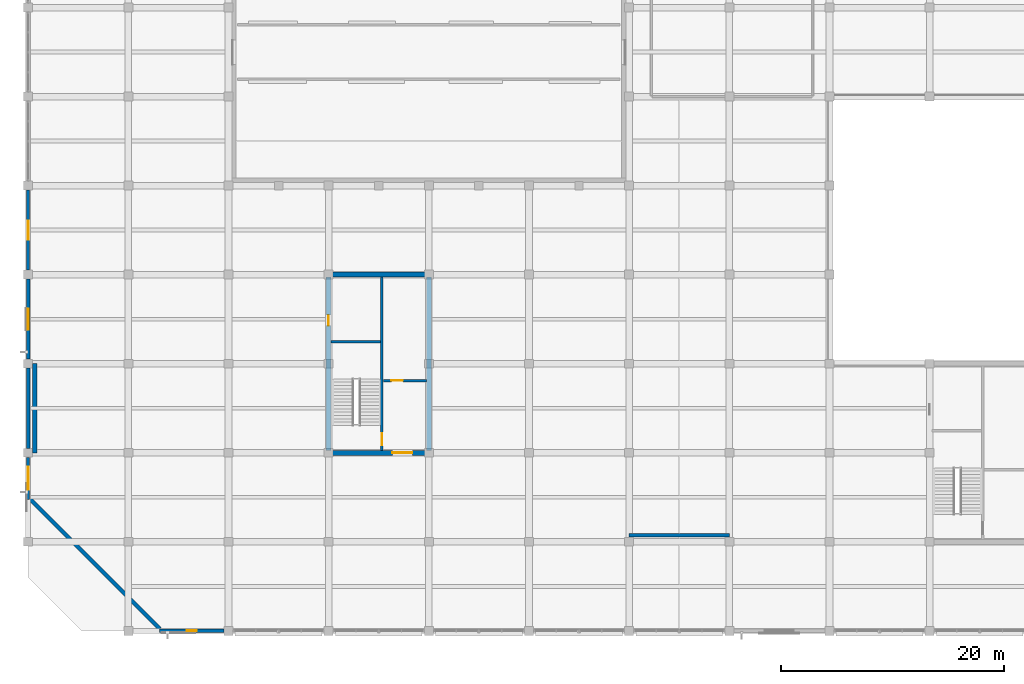
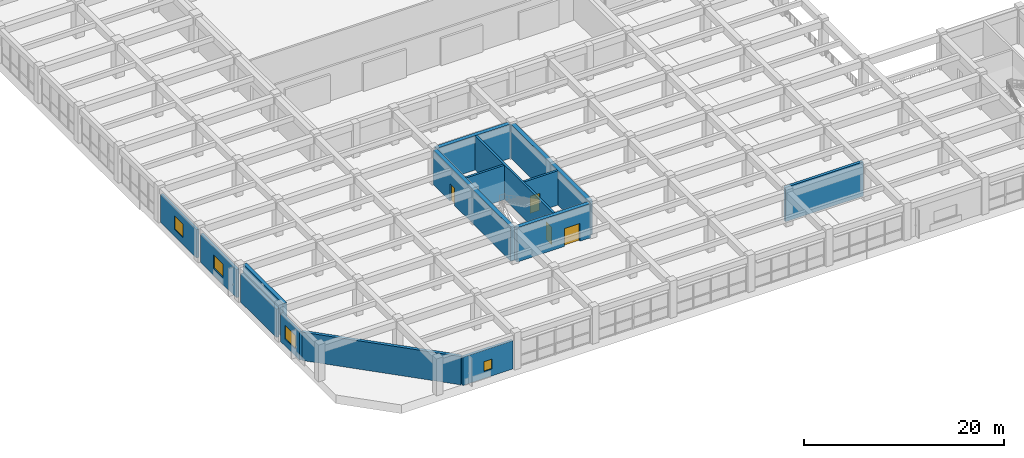
# One storey, part 25 of 50: 15 walls, 4 doors, 4 windows, 8 openings.
"""IFC4 building model written with IfcOpenShell, lengths in metres."""

from ifc_helpers import new_model, si_unit, direction, frame, frame_2d, origin, place, context, subcontext, project, spatial, rectangle, extrude, material, layer, layer_set, type_object, element, fill, save


model = new_model("IFC4")

# Units and contexts
model_context = context("Model", 3, precision=1e-05, world=origin(), true_north=direction((0.0, 1.0)))
body_context = subcontext(model_context, "Body", "Model", "MODEL_VIEW")
ifc_project = project(units=[si_unit("LENGTHUNIT", "METRE"), si_unit("AREAUNIT", "SQUARE_METRE"), si_unit("VOLUMEUNIT", "CUBIC_METRE"), si_unit("PLANEANGLEUNIT", "RADIAN"), si_unit("MASSUNIT", "GRAM", prefix="KILO")], contexts=[model_context])

# Site, building, storey
site_placement = place(None, origin())
site = spatial("IfcSite", under=ifc_project, at=site_placement, CompositionType="ELEMENT")
building_placement = place(site_placement, origin())
building = spatial("IfcBuilding", under=site, at=building_placement, Name="Zaverband Oceanarium and Marine Research Institute", CompositionType="ELEMENT")
storey_placement = place(building_placement, frame((0.0, 0.0, 4.5)))
storey = spatial("IfcBuildingStorey", under=building, at=storey_placement, Name="L01", CompositionType="ELEMENT", Elevation=4.5)

# Wall, opening, door
ifc_material_1 = material(Name="Concrete C50/60", Category="concrete")
ifc_layer_1 = layer(ifc_material_1, 0.449951171875, Name="Concrete C50/60")
ifc_layer_set_1 = layer_set([ifc_layer_1], Name="Concrete C50/60")
wall_type_1 = type_object("IfcWallType", Name="CW-02", PredefinedType="SHEAR", material=ifc_layer_set_1)
wall_1_placement = place(storey_placement, frame((27.22509765625, 16.0, 0.0), z_axis=(0.0, 0.0, 1.0), x_axis=(1.0, 0.0, 0.0)))
wall_1 = element("IfcWall", 1, at=wall_1_placement, inside=storey, type_object=wall_type_1, Name="Structural shear wall CW-02", PredefinedType="SHEAR", context=body_context, shape_type="SweptSolid", body=[
    extrude(rectangle(XDim=8.5498046875, YDim=0.449951171875, at=frame_2d((4.27490234375, 0.0))), origin(), (0.0, 0.0, 1.0), 4.179931640625),
])
opening_1_placement = place(wall_1_placement, frame((5.5, 0.0, 0.0)))
opening_1 = element("IfcOpeningElement", 2, at=opening_1_placement, cuts=wall_1, Name="Opening FD-02", PredefinedType="OPENING", context=body_context, shape_type="SweptSolid", body=[
    extrude(rectangle(XDim=1.800048828125, YDim=2.179931640625, at=frame_2d((0.89990234375, 1.08984375))), frame((0.0, 0.23681640625, 0.0), z_axis=(0.0, -1.0, 0.0), x_axis=(1.0, 0.0, 0.0)), (0.0, 0.0, 1.0), 0.473876953125),
])
ifc_material_2 = material(Name="Steel S355", Category="steel")
door_type_1 = type_object("IfcDoorType", Name="FD-02", OperationType="DOUBLE_DOOR_SINGLE_SWING", PredefinedType="DOOR", material=ifc_material_2)
door_1_placement = place(opening_1_placement, origin())
door_1 = element("IfcDoor", 3, at=door_1_placement, inside=storey, type_object=door_type_1, Name="Protected lobby double fire door FD-02", OperationType="DOUBLE_DOOR_SINGLE_SWING", OverallHeight=2.179931640625, OverallWidth=1.800048828125, PredefinedType="DOOR", context=body_context, shape_type="SweptSolid", body=[
    extrude(rectangle(XDim=1.800048828125, YDim=2.179931640625, at=frame_2d((0.89990234375, 1.08984375))), frame((0.0, 0.02490234375, 0.0), z_axis=(0.0, -1.0, 0.0), x_axis=(1.0, 0.0, 0.0)), (0.0, 0.0, 1.0), 0.050048828125),
])
fill(opening_1, door_1)

# Wall
wall_2_placement = place(storey_placement, frame((27.22509765625, 32.0, 0.0), z_axis=(0.0, 0.0, 1.0), x_axis=(1.0, 0.0, 0.0)))
element("IfcWall", 4, at=wall_2_placement, inside=storey, type_object=wall_type_1, Name="Structural shear wall CW-02", PredefinedType="SHEAR", context=body_context, shape_type="SweptSolid", body=[
    extrude(rectangle(XDim=8.5498046875, YDim=0.449951171875, at=frame_2d((4.27490234375, 0.0))), origin(), (0.0, 0.0, 1.0), 4.179931640625),
])

# Wall, opening, door
wall_3_placement = place(storey_placement, frame((27.0, 16.22509765625, 0.0), z_axis=(0.0, 0.0, 1.0), x_axis=(0.0, 1.0, 0.0)))
wall_3 = element("IfcWall", 5, at=wall_3_placement, inside=storey, type_object=wall_type_1, Name="Structural shear wall CW-02", PredefinedType="SHEAR", context=body_context, shape_type="SweptSolid", body=[
    extrude(rectangle(XDim=15.5498046875, YDim=0.449951171875, at=frame_2d((7.77490234375, 0.0))), origin(), (0.0, 0.0, 1.0), 4.179931640625),
])
opening_2_placement = place(wall_3_placement, frame((11.199951171875, 0.0, 0.0)))
opening_2 = element("IfcOpeningElement", 6, at=opening_2_placement, cuts=wall_3, Name="Opening FD-03", PredefinedType="OPENING", context=body_context, shape_type="SweptSolid", body=[
    extrude(rectangle(XDim=0.949951171875, YDim=2.10009765625, at=frame_2d((0.47509765625, 1.050048828125))), frame((0.0, 0.23681640625, 0.0), z_axis=(0.0, -1.0, 0.0), x_axis=(1.0, 0.0, 0.0)), (0.0, 0.0, 1.0), 0.473876953125),
])
door_type_2 = type_object("IfcDoorType", Name="FD-03", OperationType="NOTDEFINED", PredefinedType="DOOR", material=ifc_material_2)
door_2_placement = place(opening_2_placement, origin())
door_2 = element("IfcDoor", 7, at=door_2_placement, inside=storey, type_object=door_type_2, Name="Service riser access fire door FD-03", OperationType="SINGLE_SWING_RIGHT", OverallHeight=2.10009765625, OverallWidth=0.949951171875, PredefinedType="DOOR", context=body_context, shape_type="SweptSolid", body=[
    extrude(rectangle(XDim=0.949951171875, YDim=2.10009765625, at=frame_2d((0.47509765625, 1.050048828125))), frame((0.0, 0.02490234375, 0.0), z_axis=(0.0, -1.0, 0.0), x_axis=(1.0, 0.0, 0.0)), (0.0, 0.0, 1.0), 0.050048828125),
])
fill(opening_2, door_2)

# Wall
wall_4_placement = place(storey_placement, frame((36.0, 16.22509765625, 0.0), z_axis=(0.0, 0.0, 1.0), x_axis=(0.0, 1.0, 0.0)))
element("IfcWall", 8, at=wall_4_placement, inside=storey, type_object=wall_type_1, Name="Structural shear wall CW-02", PredefinedType="SHEAR", context=body_context, shape_type="SweptSolid", body=[
    extrude(rectangle(XDim=15.5498046875, YDim=0.449951171875, at=frame_2d((7.77490234375, 0.0))), origin(), (0.0, 0.0, 1.0), 4.179931640625),
])

# Wall, opening, window
ifc_material_3 = material(Name="Concrete C40/50 precast", Category="concrete")
ifc_layer_2 = layer(ifc_material_3, 0.264892578125, Name="Concrete C40/50 precast")
ifc_layer_set_2 = layer_set([ifc_layer_2], Name="Concrete C40/50 precast")
wall_type_2 = type_object("IfcWallType", Name="EW-265", PredefinedType="STANDARD", material=ifc_layer_set_2)
wall_5_placement = place(storey_placement, frame((0.0, 11.820068359375, 0.0), z_axis=(0.0, 0.0, 1.0), x_axis=(0.0, 1.0, 0.0)))
wall_5 = element("IfcWall", 9, at=wall_5_placement, inside=storey, type_object=wall_type_2, Name="Exterior infill wall EW-265", PredefinedType="STANDARD", context=body_context, shape_type="SweptSolid", body=[
    extrude(rectangle(XDim=3.77490234375, YDim=0.264892578125, at=frame_2d((1.887451171875, 0.0))), origin(), (0.0, 0.0, 1.0), 3.4599609375),
])
opening_3_placement = place(wall_5_placement, frame((0.83740234375, 0.0, 0.85009765625)))
opening_3 = element("IfcOpeningElement", 10, at=opening_3_placement, cuts=wall_5, Name="Opening WN-2100x1650", PredefinedType="OPENING", context=body_context, shape_type="SweptSolid", body=[
    extrude(rectangle(XDim=2.10009765625, YDim=1.64990234375, at=frame_2d((1.050048828125, 0.824951171875))), frame((0.0, 0.14453125, 0.0), z_axis=(0.0, -1.0, 0.0), x_axis=(1.0, 0.0, 0.0)), (0.0, 0.0, 1.0), 0.288818359375),
])
ifc_material_4 = material(Name="Thermally broken anodized aluminium and solar-control glass", Category="aluminium")
window_type_1 = type_object("IfcWindowType", Name="WN-2100x1650", PartitioningType="SINGLE_PANEL", PredefinedType="WINDOW", material=ifc_material_4)
window_1_placement = place(opening_3_placement, origin())
window_1 = element("IfcWindow", 11, at=window_1_placement, inside=storey, type_object=window_type_1, Name="Fixed / casement exterior window WN-2100x1650", OverallHeight=1.64990234375, OverallWidth=2.10009765625, PartitioningType="SINGLE_PANEL", PredefinedType="WINDOW", context=body_context, shape_type="SweptSolid", body=[
    extrude(rectangle(XDim=2.10009765625, YDim=1.64990234375, at=frame_2d((1.050048828125, 0.824951171875))), frame((0.0, 0.030029296875, 0.0), z_axis=(0.0, -1.0, 0.0), x_axis=(1.0, 0.0, 0.0)), (0.0, 0.0, 1.0), 0.06005859375),
])
fill(opening_3, window_1)

wall_6_placement = place(storey_placement, frame((0.0, 32.405029296875, 0.0), z_axis=(0.0, 0.0, 1.0), x_axis=(0.0, 1.0, 0.0)))
wall_6 = element("IfcWall", 12, at=wall_6_placement, inside=storey, type_object=wall_type_2, Name="Exterior infill wall EW-265", PredefinedType="STANDARD", context=body_context, shape_type="SweptSolid", body=[
    extrude(rectangle(XDim=7.18994140625, YDim=0.264892578125, at=frame_2d((3.594970703125, 0.0))), origin(), (0.0, 0.0, 1.0), 3.4599609375),
])
opening_4_placement = place(wall_6_placement, frame((2.7451171875, 0.0, 0.85009765625)))
opening_4 = element("IfcOpeningElement", 13, at=opening_4_placement, cuts=wall_6, Name="Opening WN-1700x1650", PredefinedType="OPENING", context=body_context, shape_type="SweptSolid", body=[
    extrude(rectangle(XDim=1.699951171875, YDim=1.64990234375, at=frame_2d((0.85009765625, 0.824951171875))), frame((0.0, 0.14453125, 0.0), z_axis=(0.0, -1.0, 0.0), x_axis=(1.0, 0.0, 0.0)), (0.0, 0.0, 1.0), 0.288818359375),
])
window_type_2 = type_object("IfcWindowType", Name="WN-1700x1650", PartitioningType="SINGLE_PANEL", PredefinedType="WINDOW", material=ifc_material_4)
window_2_placement = place(opening_4_placement, origin())
window_2 = element("IfcWindow", 14, at=window_2_placement, inside=storey, type_object=window_type_2, Name="Fixed / casement exterior window WN-1700x1650", OverallHeight=1.64990234375, OverallWidth=1.699951171875, PartitioningType="SINGLE_PANEL", PredefinedType="WINDOW", context=body_context, shape_type="SweptSolid", body=[
    extrude(rectangle(XDim=1.699951171875, YDim=1.64990234375, at=frame_2d((0.85009765625, 0.824951171875))), frame((0.0, 0.030029296875, 0.0), z_axis=(0.0, -1.0, 0.0), x_axis=(1.0, 0.0, 0.0)), (0.0, 0.0, 1.0), 0.06005859375),
])
fill(opening_4, window_2)

ifc_layer_3 = layer(ifc_material_3, 0.2900390625, Name="Concrete C40/50 precast")
ifc_layer_set_3 = layer_set([ifc_layer_3], Name="Concrete C40/50 precast")
wall_type_3 = type_object("IfcWallType", Name="EW-290", PredefinedType="STANDARD", material=ifc_layer_set_3)
wall_7_placement = place(storey_placement, frame((11.820068359375, 0.0, 0.0), z_axis=(0.0, 0.0, 1.0), x_axis=(1.0, 0.0, 0.0)))
wall_7 = element("IfcWall", 15, at=wall_7_placement, inside=storey, type_object=wall_type_3, Name="Exterior infill wall EW-290", PredefinedType="STANDARD", context=body_context, shape_type="SweptSolid", body=[
    extrude(rectangle(XDim=5.77490234375, YDim=0.2900390625, at=frame_2d((2.887451171875, 0.0))), origin(), (0.0, 0.0, 1.0), 3.4599609375),
])
opening_5_placement = place(wall_7_placement, frame((2.4375, 0.0, 0.85009765625)))
opening_5 = element("IfcOpeningElement", 16, at=opening_5_placement, cuts=wall_7, Name="Opening WN-900x1200", PredefinedType="OPENING", context=body_context, shape_type="SweptSolid", body=[
    extrude(rectangle(XDim=0.89990234375, YDim=1.199951171875, at=frame_2d((0.449951171875, 0.60009765625))), frame((0.0, 0.156982421875, 0.0), z_axis=(0.0, -1.0, 0.0), x_axis=(1.0, 0.0, 0.0)), (0.0, 0.0, 1.0), 0.31396484375),
])
window_type_3 = type_object("IfcWindowType", Name="WN-900x1200", PartitioningType="SINGLE_PANEL", PredefinedType="WINDOW", material=ifc_material_4)
window_3_placement = place(opening_5_placement, origin())
window_3 = element("IfcWindow", 17, at=window_3_placement, inside=storey, type_object=window_type_3, Name="Fixed / casement exterior window WN-900x1200", OverallHeight=1.199951171875, OverallWidth=0.89990234375, PartitioningType="SINGLE_PANEL", PredefinedType="WINDOW", context=body_context, shape_type="SweptSolid", body=[
    extrude(rectangle(XDim=0.89990234375, YDim=1.199951171875, at=frame_2d((0.449951171875, 0.60009765625))), frame((0.0, 0.030029296875, 0.0), z_axis=(0.0, -1.0, 0.0), x_axis=(1.0, 0.0, 0.0)), (0.0, 0.0, 1.0), 0.06005859375),
])
fill(opening_5, window_3)

wall_8_placement = place(storey_placement, frame((0.0, 24.405029296875, 0.0), z_axis=(0.0, 0.0, 1.0), x_axis=(0.0, 1.0, 0.0)))
wall_8 = element("IfcWall", 18, at=wall_8_placement, inside=storey, type_object=wall_type_3, Name="Exterior infill wall EW-290", PredefinedType="STANDARD", context=body_context, shape_type="SweptSolid", body=[
    extrude(rectangle(XDim=7.18994140625, YDim=0.2900390625, at=frame_2d((3.594970703125, 0.0))), origin(), (0.0, 0.0, 1.0), 3.4599609375),
])
opening_6_placement = place(wall_8_placement, frame((2.64501953125, 0.0, 0.85009765625)))
opening_6 = element("IfcOpeningElement", 19, at=opening_6_placement, cuts=wall_8, Name="Opening WN-1900x1650", PredefinedType="OPENING", context=body_context, shape_type="SweptSolid", body=[
    extrude(rectangle(XDim=1.89990234375, YDim=1.64990234375, at=frame_2d((0.949951171875, 0.824951171875))), frame((0.0, 0.156982421875, 0.0), z_axis=(0.0, -1.0, 0.0), x_axis=(1.0, 0.0, 0.0)), (0.0, 0.0, 1.0), 0.31396484375),
])
window_type_4 = type_object("IfcWindowType", Name="WN-1900x1650", PartitioningType="SINGLE_PANEL", PredefinedType="WINDOW", material=ifc_material_4)
window_4_placement = place(opening_6_placement, origin())
window_4 = element("IfcWindow", 20, at=window_4_placement, inside=storey, type_object=window_type_4, Name="Fixed / casement exterior window WN-1900x1650", OverallHeight=1.64990234375, OverallWidth=1.89990234375, PartitioningType="SINGLE_PANEL", PredefinedType="WINDOW", context=body_context, shape_type="SweptSolid", body=[
    extrude(rectangle(XDim=1.89990234375, YDim=1.64990234375, at=frame_2d((0.949951171875, 0.824951171875))), frame((0.0, 0.030029296875, 0.0), z_axis=(0.0, -1.0, 0.0), x_axis=(1.0, 0.0, 0.0)), (0.0, 0.0, 1.0), 0.06005859375),
])
fill(opening_6, window_4)

# Walls
ifc_layer_4 = layer(ifc_material_3, 0.31005859375, Name="Concrete C40/50 precast")
ifc_layer_set_4 = layer_set([ifc_layer_4], Name="Concrete C40/50 precast")
wall_type_4 = type_object("IfcWallType", Name="EW-310", PredefinedType="STANDARD", material=ifc_layer_set_4)
wall_9_placement = place(storey_placement, frame((0.0, 16.405029296875, 0.0), z_axis=(0.0, 0.0, 1.0), x_axis=(0.0, 1.0, 0.0)))
element("IfcWall", 21, at=wall_9_placement, inside=storey, type_object=wall_type_4, Name="Exterior infill wall EW-310", PredefinedType="STANDARD", context=body_context, shape_type="SweptSolid", body=[
    extrude(rectangle(XDim=7.18994140625, YDim=0.31005859375, at=frame_2d((3.594970703125, 0.0))), origin(), (0.0, 0.0, 1.0), 3.4599609375),
])
ifc_layer_5 = layer(ifc_material_3, 0.340087890625, Name="Concrete C40/50 precast")
ifc_layer_set_5 = layer_set([ifc_layer_5], Name="Concrete C40/50 precast")
wall_type_5 = type_object("IfcWallType", Name="EW-340", PredefinedType="STANDARD", material=ifc_layer_set_5)
wall_10_placement = place(storey_placement, frame((0.179931640625, 11.820068359375, 0.0), z_axis=(0.0, 0.0, 1.0), x_axis=(0.707106781187, -0.707106781187, 0.0)))
element("IfcWall", 22, at=wall_10_placement, inside=storey, type_object=wall_type_5, Name="Exterior infill wall EW-340", PredefinedType="STANDARD", context=body_context, shape_type="SweptSolid", body=[
    extrude(rectangle(XDim=16.461669921875, YDim=0.340087890625, at=frame_2d((8.23095703125, 0.0))), origin(), (0.0, 0.0, 1.0), 3.4599609375),
])

# Wall, opening, door
ifc_layer_6 = layer(ifc_material_1, 0.25, Name="Concrete C50/60")
ifc_layer_set_6 = layer_set([ifc_layer_6], Name="Concrete C50/60")
wall_type_6 = type_object("IfcWallType", Name="PW-CORE-250", PredefinedType="SOLIDWALL", material=ifc_layer_set_6)
wall_11_placement = place(storey_placement, frame((31.77490234375, 16.22509765625, 0.0), z_axis=(0.0, 0.0, 1.0), x_axis=(0.0, 1.0, 0.0)))
wall_11 = element("IfcWall", 23, at=wall_11_placement, inside=storey, type_object=wall_type_6, Name="Structural concrete wall PW-CORE-250", PredefinedType="SOLIDWALL", context=body_context, shape_type="SweptSolid", body=[
    extrude(rectangle(XDim=15.5498046875, YDim=0.25, at=frame_2d((7.77490234375, 0.0))), origin(), (0.0, 0.0, 1.0), 4.179931640625),
])
opening_7_placement = place(wall_11_placement, frame((0.449951171875, 0.0, 0.0)))
opening_7 = element("IfcOpeningElement", 24, at=opening_7_placement, cuts=wall_11, Name="Opening FD-01", PredefinedType="OPENING", context=body_context, shape_type="SweptSolid", body=[
    extrude(rectangle(XDim=1.10009765625, YDim=2.14990234375, at=frame_2d((0.550048828125, 1.074951171875))), frame((0.0, 0.136962890625, 0.0), z_axis=(0.0, -1.0, 0.0), x_axis=(1.0, 0.0, 0.0)), (0.0, 0.0, 1.0), 0.27392578125),
])
door_type_3 = type_object("IfcDoorType", Name="FD-01", OperationType="NOTDEFINED", PredefinedType="DOOR", material=ifc_material_2)
door_3_placement = place(opening_7_placement, origin())
door_3 = element("IfcDoor", 25, at=door_3_placement, inside=storey, type_object=door_type_3, Name="Core stair / lobby fire door FD-01", OperationType="SINGLE_SWING_RIGHT", OverallHeight=2.14990234375, OverallWidth=1.10009765625, PredefinedType="DOOR", context=body_context, shape_type="SweptSolid", body=[
    extrude(rectangle(XDim=1.10009765625, YDim=2.14990234375, at=frame_2d((0.550048828125, 1.074951171875))), frame((0.0, 0.02490234375, 0.0), z_axis=(0.0, -1.0, 0.0), x_axis=(1.0, 0.0, 0.0)), (0.0, 0.0, 1.0), 0.050048828125),
])
fill(opening_7, door_3)

# Wall
wall_12_placement = place(storey_placement, frame((27.22509765625, 25.97509765625, 0.0), z_axis=(0.0, 0.0, 1.0), x_axis=(1.0, 0.0, 0.0)))
element("IfcWall", 26, at=wall_12_placement, inside=storey, type_object=wall_type_6, Name="Structural concrete wall PW-CORE-250", PredefinedType="SOLIDWALL", context=body_context, shape_type="SweptSolid", body=[
    extrude(rectangle(XDim=4.419921875, YDim=0.25, at=frame_2d((2.2099609375, 0.0))), origin(), (0.0, 0.0, 1.0), 4.179931640625),
])

# Wall, opening, door
wall_13_placement = place(storey_placement, frame((31.905029296875, 22.47509765625, 0.0), z_axis=(0.0, 0.0, 1.0), x_axis=(1.0, 0.0, 0.0)))
wall_13 = element("IfcWall", 27, at=wall_13_placement, inside=storey, type_object=wall_type_6, Name="Structural concrete wall PW-CORE-250", PredefinedType="SOLIDWALL", context=body_context, shape_type="SweptSolid", body=[
    extrude(rectangle(XDim=3.869873046875, YDim=0.25, at=frame_2d((1.93505859375, 0.0))), origin(), (0.0, 0.0, 1.0), 4.179931640625),
])
opening_8_placement = place(wall_13_placement, frame((0.719970703125, 0.0, 0.0)))
opening_8 = element("IfcOpeningElement", 28, at=opening_8_placement, cuts=wall_13, Name="Opening LD-02", PredefinedType="OPENING", context=body_context, shape_type="SweptSolid", body=[
    extrude(rectangle(XDim=1.050048828125, YDim=2.1201171875, at=frame_2d((0.52490234375, 1.06005859375))), frame((0.0, 0.136962890625, 0.0), z_axis=(0.0, -1.0, 0.0), x_axis=(1.0, 0.0, 0.0)), (0.0, 0.0, 1.0), 0.27392578125),
])
door_type_4 = type_object("IfcDoorType", Name="LD-02", OperationType="DOUBLE_DOOR_SLIDING", PredefinedType="DOOR", material=ifc_material_2)
door_4_placement = place(opening_8_placement, origin())
door_4 = element("IfcDoor", 29, at=door_4_placement, inside=storey, type_object=door_type_4, Name="Passenger lift sliding landing door LD-02", OperationType="DOUBLE_DOOR_SLIDING", OverallHeight=2.1201171875, OverallWidth=1.050048828125, PredefinedType="DOOR", context=body_context, shape_type="SweptSolid", body=[
    extrude(rectangle(XDim=1.050048828125, YDim=2.1201171875, at=frame_2d((0.52490234375, 1.06005859375))), frame((0.0, 0.02490234375, 0.0), z_axis=(0.0, -1.0, 0.0), x_axis=(1.0, 0.0, 0.0)), (0.0, 0.0, 1.0), 0.050048828125),
])
fill(opening_8, door_4)

# Walls
ifc_material_5 = material(Name="Concrete C40/50", Category="concrete")
ifc_layer_7 = layer(ifc_material_5, 0.320068359375, Name="Concrete C40/50")
ifc_layer_set_7 = layer_set([ifc_layer_7], Name="Concrete C40/50")
wall_type_7 = type_object("IfcWallType", Name="SCW-02", PredefinedType="SOLIDWALL", material=ifc_layer_set_7)
wall_14_placement = place(storey_placement, frame((54.0, 8.60009765625, 0.0), z_axis=(0.0, 0.0, 1.0), x_axis=(1.0, 0.0, 0.0)))
element("IfcWall", 30, at=wall_14_placement, inside=storey, type_object=wall_type_7, Name="Structural concrete wall SCW-02", PredefinedType="SOLIDWALL", context=body_context, shape_type="SweptSolid", body=[
    extrude(rectangle(XDim=9.0, YDim=0.320068359375, at=frame_2d((4.5, 0.0))), origin(), (0.0, 0.0, 1.0), 4.179931640625),
])
ifc_layer_8 = layer(ifc_material_1, 0.419921875, Name="Concrete C50/60")
ifc_layer_set_8 = layer_set([ifc_layer_8], Name="Concrete C50/60")
wall_type_8 = type_object("IfcWallType", Name="SW-01", PredefinedType="SHEAR", material=ifc_layer_set_8)
wall_15_placement = place(storey_placement, frame((0.60009765625, 16.0, 0.0), z_axis=(0.0, 0.0, 1.0), x_axis=(0.0, 1.0, 0.0)))
element("IfcWall", 31, at=wall_15_placement, inside=storey, type_object=wall_type_8, Name="Structural shear wall SW-01", PredefinedType="SHEAR", context=body_context, shape_type="SweptSolid", body=[
    extrude(rectangle(XDim=8.0, YDim=0.419921875, at=frame_2d((4.0, 0.0))), origin(), (0.0, 0.0, 1.0), 4.179931640625),
])

save(model, "model.ifc")
